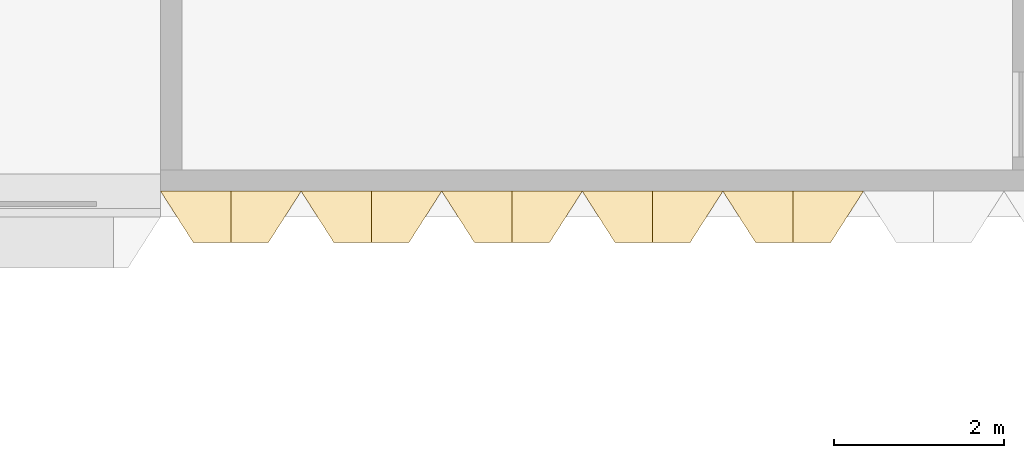
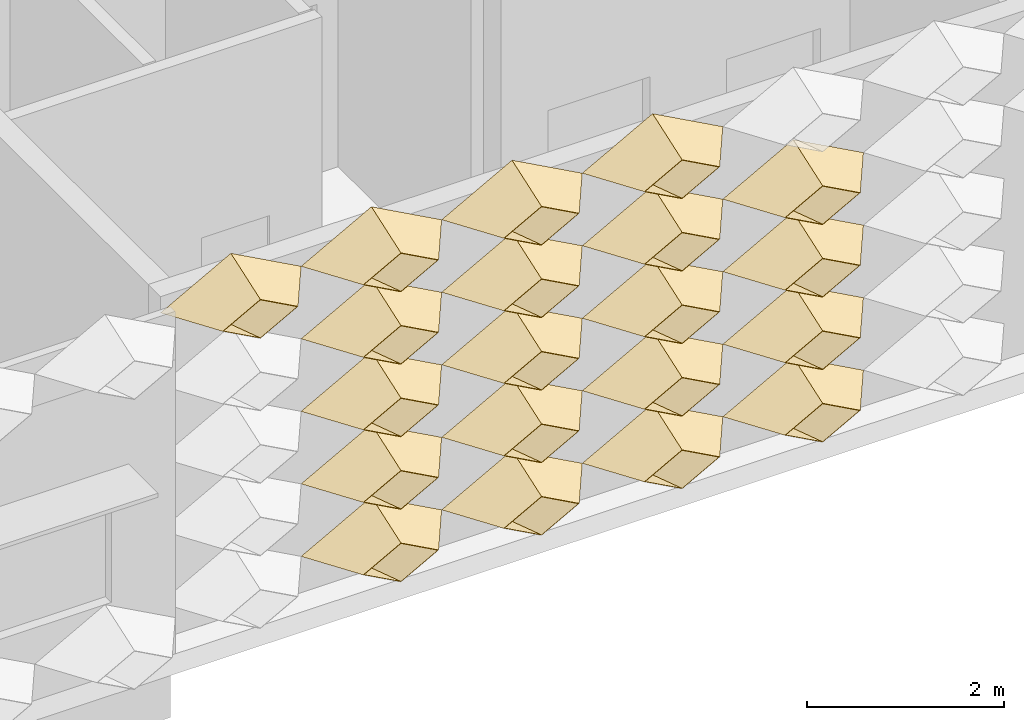
# One storey, part 87 of 109: 20 coverings.
"""IFC4 building model written with IfcOpenShell, lengths in metres."""

import ifcopenshell
import ifcopenshell.guid

model = None  # the IFC model being written
_history = None  # IfcOwnerHistory: only IFC2X3 demands one
_inside = {}  # id of a spatial element -> (the spatial element, [elements in it])
_under = {}  # id of a project, library or spatial element -> (it, [spatial elements below it])
_declared = {}  # id of a project -> (the project, [libraries it declares])
_typed = {}  # id of a type object -> (the type object, [elements of that type])
_made_of = {}  # id of a material, layer set ... -> (it, [elements and type objects made of it])


def new_model(schema):
    """Start an empty IFC model of exactly this schema.

    Asked for "IFC4X3", IfcOpenShell would pick the latest addendum, in which some entities
    have other attributes; the version numbers below select the first issue.
    IFC2X3 requires an IfcOwnerHistory on every rooted entity: one is made here for all.
    """
    global model, _history
    if schema == "IFC4X3":
        model = ifcopenshell.file(schema_version=(4, 3, 0, 0))
    else:
        model = ifcopenshell.file(schema=schema)
    _inside.clear()
    _under.clear()
    _declared.clear()
    _typed.clear()
    _made_of.clear()
    _history = None
    if model.schema == "IFC2X3":
        org = make("IfcOrganization", Name="unknown")
        user = make(
            "IfcPersonAndOrganization",
            ThePerson=make("IfcPerson", FamilyName="unknown"),
            TheOrganization=org,
        )
        app = make(
            "IfcApplication",
            ApplicationDeveloper=org,
            Version="unknown",
            ApplicationFullName="unknown",
            ApplicationIdentifier="unknown",
        )
        _history = make(
            "IfcOwnerHistory",
            OwningUser=user,
            OwningApplication=app,
            ChangeAction="ADDED",
            CreationDate=0,
        )
    return model


def make(cls, **values):
    """One entity of the class cls with the attributes given. An attribute that is None is left unset."""
    return model.create_entity(
        cls, **{name: value for name, value in values.items() if value is not None}
    )


def entity(cls, *values):
    """Any entity or typed value of the class cls, its attributes in the order of the schema. None: left unset."""
    e = model.create_entity(cls)
    for i, value in enumerate(values):
        if value is not None:
            e[i] = value
    return e


def rooted(cls, **values):
    """An entity with a GlobalId (a new one), such as an element, a storey or a relation."""
    return make(cls, GlobalId=ifcopenshell.guid.new(), OwnerHistory=_history, **values)


def si_unit(unit_type, name, prefix=None):
    """IfcSIUnit, for example si_unit("LENGTHUNIT", "METRE", prefix="MILLI")."""
    return make("IfcSIUnit", UnitType=unit_type, Prefix=prefix, Name=name)


def assignment(units):
    """IfcUnitAssignment: the units of a project."""
    return None if units is None else make("IfcUnitAssignment", Units=units)


def point(xyz):
    """IfcCartesianPoint."""
    return None if xyz is None else make("IfcCartesianPoint", Coordinates=xyz)


def direction(xyz):
    """IfcDirection."""
    return None if xyz is None else make("IfcDirection", DirectionRatios=xyz)


def frame(location, z_axis=None, x_axis=None):
    """IfcAxis2Placement3D, a coordinate frame: its origin and axes. An axis left out is left unset."""
    return make(
        "IfcAxis2Placement3D",
        Location=point(location),
        Axis=direction(z_axis),
        RefDirection=direction(x_axis),
    )


def origin():
    """The frame at (0, 0, 0) with its axes left unset."""
    return frame((0.0, 0.0, 0.0))


def place(relative_to, where):
    """IfcLocalPlacement: puts the frame where relative to a parent placement (None: the world)."""
    return make(
        "IfcLocalPlacement", PlacementRelTo=relative_to, RelativePlacement=where
    )


def context(
    kind, dimensions, precision=None, world=None, true_north=None, identifier=None
):
    """IfcGeometricRepresentationContext, for example the 3D "Model" context."""
    return make(
        "IfcGeometricRepresentationContext",
        ContextIdentifier=identifier,
        ContextType=kind,
        CoordinateSpaceDimension=dimensions,
        Precision=precision,
        WorldCoordinateSystem=world,
        TrueNorth=true_north,
    )


def subcontext(parent, identifier, kind, view, scale=None):
    """IfcGeometricRepresentationSubContext, for example "Body" below "Model"."""
    return make(
        "IfcGeometricRepresentationSubContext",
        ContextIdentifier=identifier,
        ContextType=kind,
        ParentContext=parent,
        TargetScale=scale,
        TargetView=view,
    )


def project(units=None, contexts=None):
    """IfcProject with its units and contexts."""
    return rooted(
        "IfcProject",
        Name="project",
        RepresentationContexts=contexts,
        UnitsInContext=assignment(units),
    )


def spatial(cls, under=None, at=None, **own):
    """A site, building, storey or space (cls), placed at a placement, below another one or the project."""
    s = rooted(cls, ObjectPlacement=at, **own)
    if under is not None:
        _under.setdefault(under.id(), (under, []))[1].append(s)
    return s


def shape(context_of_items, identifier, shape_type, items):
    """IfcShapeRepresentation: the items that make up one representation, for example the "Body"."""
    return make(
        "IfcShapeRepresentation",
        ContextOfItems=context_of_items,
        RepresentationIdentifier=identifier,
        RepresentationType=shape_type,
        Items=items,
    )


def material(Name=None, Category=None):
    """IfcMaterial."""
    return make("IfcMaterial", Name=Name, Category=Category)


def layer(
    of_material, thickness, ventilated=None, Name=None, Category=None, Priority=None
):
    """IfcMaterialLayer: one layer of a wall or slab, of a material (None: an air gap)."""
    return make(
        "IfcMaterialLayer",
        Material=of_material,
        LayerThickness=thickness,
        IsVentilated=ventilated,
        Name=Name,
        Category=Category,
        Priority=Priority,
    )


def layer_set(layers, Name=None):
    """IfcMaterialLayerSet."""
    return make("IfcMaterialLayerSet", MaterialLayers=layers, LayerSetName=Name)


def made_of(thing, what):
    """Note that an element or type object is made of a material, layer set ...; save() writes the relation."""
    if what is not None:
        _made_of.setdefault(what.id(), (what, []))[1].append(thing)
    return thing


def type_object(cls, material=None, **own):
    """A type object (cls), such as IfcWallType, which elements share."""
    return made_of(rooted(cls, **own), material)


def element(
    cls,
    number,
    at=None,
    inside=None,
    cuts=None,
    type_object=None,
    material=None,
    context=None,
    identifier="Body",
    shape_type=None,
    held_by="IfcProductDefinitionShape",
    body=None,
    shapes=None,
    **own,
):
    """One element of the class cls, such as IfcWall. Its Tag is "e" and its number.

    at: its placement. inside: the storey or other place that contains it. cuts: it is an
    opening in that element (IfcRelVoidsElement). A single representation is given by context,
    identifier, shape_type and body (its items); several are given by shapes. held_by: the class
    of the entity that holds the representations. save() writes the other relations.
    """
    e = rooted(cls, Tag="e%d" % number, ObjectPlacement=at, **own)
    if body is not None:
        shapes = [shape(context, identifier, shape_type, body)]
    if shapes is not None:
        e.Representation = make(held_by, Representations=shapes)
    if inside is not None:
        _inside.setdefault(inside.id(), (inside, []))[1].append(e)
    if cuts is not None:
        rooted(
            "IfcRelVoidsElement", RelatingBuildingElement=cuts, RelatedOpeningElement=e
        )
    if type_object is not None:
        _typed.setdefault(type_object.id(), (type_object, []))[1].append(e)
    return made_of(e, material)


def aggregate(whole, parts):
    """IfcRelAggregates: a whole, such as a stair, and the parts it consists of."""
    return rooted("IfcRelAggregates", RelatingObject=whole, RelatedObjects=parts)


def save(model, path):
    """Write the relations noted so far, then the file.

    IfcRelAggregates (storeys below a building ...), IfcRelContainedInSpatialStructure (elements
    in a storey), IfcRelDefinesByType, IfcRelAssociatesMaterial and IfcRelDeclares: one each for
    every whole, place, type object, material and project.
    """
    for whole, parts in _under.values():
        aggregate(whole, parts)
    for where, things in _inside.values():
        rooted(
            "IfcRelContainedInSpatialStructure",
            RelatedElements=things,
            RelatingStructure=where,
        )
    for kind, things in _typed.values():
        rooted("IfcRelDefinesByType", RelatedObjects=things, RelatingType=kind)
    for what, things in _made_of.values():
        rooted("IfcRelAssociatesMaterial", RelatedObjects=things, RelatingMaterial=what)
    for by, libraries in _declared.values():
        rooted("IfcRelDeclares", RelatingContext=by, RelatedDefinitions=libraries)
    model.write(path)


model = new_model("IFC4")

# Units and contexts
model_context = context("Model", 3, precision=1e-05, world=origin(), true_north=direction((0.0, 1.0)))
body_context = subcontext(model_context, "Body", "Model", "MODEL_VIEW")
ifc_project = project(units=[si_unit("LENGTHUNIT", "METRE"), si_unit("AREAUNIT", "SQUARE_METRE"), si_unit("VOLUMEUNIT", "CUBIC_METRE"), si_unit("PLANEANGLEUNIT", "RADIAN"), si_unit("MASSUNIT", "GRAM", prefix="KILO")], contexts=[model_context])

# Site, building, storey
site_placement = place(None, origin())
site = spatial("IfcSite", under=ifc_project, at=site_placement, CompositionType="ELEMENT")
building_placement = place(site_placement, origin())
building = spatial("IfcBuilding", under=site, at=building_placement, Name="Lantern Court Research Institute", CompositionType="ELEMENT")
storey_placement = place(building_placement, frame((0.0, 0.0, 14.39990234375)))
storey = spatial("IfcBuildingStorey", under=building, at=storey_placement, Name="L03", CompositionType="ELEMENT", Elevation=14.39990234375)

# Coverings
ifc_material = material(Name="Anodised aluminium", Category="aluminium")
ifc_layer = layer(ifc_material, 0.01611328125)
ifc_layer_set = layer_set([ifc_layer], Name="Anodised aluminium")
covering_type = type_object("IfcCoveringType", Name="Fin cassette 1650 x 900 x 600 aluminium", PredefinedType="CLADDING", material=ifc_layer_set)
covering_1_placement = place(storey_placement, frame((42.074951171875, 82.5, 0.4501953125), z_axis=(0.0, -1.0, 0.0), x_axis=(1.0, 0.0, 0.0)))
cartesian_point_1 = entity("IfcCartesianPoint", [0.824951171875, 0.0])
cartesian_point_2 = entity("IfcCartesianPoint", [0.79150390625, 0.0])
cartesian_point_3 = entity("IfcCartesianPoint", [0.44189453125, 0.0])
cartesian_point_4 = entity("IfcCartesianPoint", [0.43359375, 0.0])
element("IfcCovering", 1, at=covering_1_placement, inside=storey, type_object=covering_type, Name="Fin cassette V6S-L03 1.26", PredefinedType="CLADDING", context=body_context, shape_type="SweptSolid", body=[
    entity("IfcExtrudedAreaSolidTapered", entity("IfcArbitraryProfileDefWithVoids", "AREA", None, entity("IfcPolyline", [cartesian_point_1, entity("IfcCartesianPoint", [0.0, 0.449951171875]), entity("IfcCartesianPoint", [-0.824951171875, 0.0]), entity("IfcCartesianPoint", [0.0, -0.449951171875]), cartesian_point_1]), [entity("IfcPolyline", [cartesian_point_2, entity("IfcCartesianPoint", [0.0, 0.431884765625]), entity("IfcCartesianPoint", [-0.79150390625, 0.0]), entity("IfcCartesianPoint", [0.0, -0.431884765625]), cartesian_point_2])]), entity("IfcAxis2Placement3D", entity("IfcCartesianPoint", [0.0, 0.0, 0.0])), entity("IfcDirection", [0.0, 0.0, 1.0]), 0.60009765625, entity("IfcArbitraryProfileDefWithVoids", "AREA", None, entity("IfcPolyline", [cartesian_point_3, entity("IfcCartesianPoint", [0.0, 0.240966796875]), entity("IfcCartesianPoint", [-0.44189453125, 0.0]), entity("IfcCartesianPoint", [0.0, -0.240966796875]), cartesian_point_3]), [entity("IfcPolyline", [cartesian_point_4, entity("IfcCartesianPoint", [0.0, 0.236572265625]), entity("IfcCartesianPoint", [-0.43359375, 0.0]), entity("IfcCartesianPoint", [0.0, -0.236572265625]), cartesian_point_4])])),
])
covering_2_placement = place(storey_placement, frame((43.72509765625, 82.5, 0.4501953125), z_axis=(0.0, -1.0, 0.0), x_axis=(1.0, 0.0, 0.0)))
cartesian_point_5 = entity("IfcCartesianPoint", [0.824951171875, 0.0])
cartesian_point_6 = entity("IfcCartesianPoint", [0.79150390625, 0.0])
cartesian_point_7 = entity("IfcCartesianPoint", [0.44189453125, 0.0])
cartesian_point_8 = entity("IfcCartesianPoint", [0.43359375, 0.0])
element("IfcCovering", 2, at=covering_2_placement, inside=storey, type_object=covering_type, Name="Fin cassette V6S-L03 1.27", PredefinedType="CLADDING", context=body_context, shape_type="SweptSolid", body=[
    entity("IfcExtrudedAreaSolidTapered", entity("IfcArbitraryProfileDefWithVoids", "AREA", None, entity("IfcPolyline", [cartesian_point_5, entity("IfcCartesianPoint", [0.0, 0.449951171875]), entity("IfcCartesianPoint", [-0.824951171875, 0.0]), entity("IfcCartesianPoint", [0.0, -0.449951171875]), cartesian_point_5]), [entity("IfcPolyline", [cartesian_point_6, entity("IfcCartesianPoint", [0.0, 0.431884765625]), entity("IfcCartesianPoint", [-0.79150390625, 0.0]), entity("IfcCartesianPoint", [0.0, -0.431884765625]), cartesian_point_6])]), entity("IfcAxis2Placement3D", entity("IfcCartesianPoint", [0.0, 0.0, 0.0])), entity("IfcDirection", [0.0, 0.0, 1.0]), 0.60009765625, entity("IfcArbitraryProfileDefWithVoids", "AREA", None, entity("IfcPolyline", [cartesian_point_7, entity("IfcCartesianPoint", [0.0, 0.240966796875]), entity("IfcCartesianPoint", [-0.44189453125, 0.0]), entity("IfcCartesianPoint", [0.0, -0.240966796875]), cartesian_point_7]), [entity("IfcPolyline", [cartesian_point_8, entity("IfcCartesianPoint", [0.0, 0.236572265625]), entity("IfcCartesianPoint", [-0.43359375, 0.0]), entity("IfcCartesianPoint", [0.0, -0.236572265625]), cartesian_point_8])])),
])
covering_3_placement = place(storey_placement, frame((45.375, 82.5, 0.4501953125), z_axis=(0.0, -1.0, 0.0), x_axis=(1.0, 0.0, 0.0)))
cartesian_point_9 = entity("IfcCartesianPoint", [0.824951171875, 0.0])
cartesian_point_10 = entity("IfcCartesianPoint", [0.79150390625, 0.0])
cartesian_point_11 = entity("IfcCartesianPoint", [0.44189453125, 0.0])
cartesian_point_12 = entity("IfcCartesianPoint", [0.43359375, 0.0])
element("IfcCovering", 3, at=covering_3_placement, inside=storey, type_object=covering_type, Name="Fin cassette V6S-L03 1.28", PredefinedType="CLADDING", context=body_context, shape_type="SweptSolid", body=[
    entity("IfcExtrudedAreaSolidTapered", entity("IfcArbitraryProfileDefWithVoids", "AREA", None, entity("IfcPolyline", [cartesian_point_9, entity("IfcCartesianPoint", [0.0, 0.449951171875]), entity("IfcCartesianPoint", [-0.824951171875, 0.0]), entity("IfcCartesianPoint", [0.0, -0.449951171875]), cartesian_point_9]), [entity("IfcPolyline", [cartesian_point_10, entity("IfcCartesianPoint", [0.0, 0.431884765625]), entity("IfcCartesianPoint", [-0.79150390625, 0.0]), entity("IfcCartesianPoint", [0.0, -0.431884765625]), cartesian_point_10])]), entity("IfcAxis2Placement3D", entity("IfcCartesianPoint", [0.0, 0.0, 0.0])), entity("IfcDirection", [0.0, 0.0, 1.0]), 0.60009765625, entity("IfcArbitraryProfileDefWithVoids", "AREA", None, entity("IfcPolyline", [cartesian_point_11, entity("IfcCartesianPoint", [0.0, 0.240966796875]), entity("IfcCartesianPoint", [-0.44189453125, 0.0]), entity("IfcCartesianPoint", [0.0, -0.240966796875]), cartesian_point_11]), [entity("IfcPolyline", [cartesian_point_12, entity("IfcCartesianPoint", [0.0, 0.236572265625]), entity("IfcCartesianPoint", [-0.43359375, 0.0]), entity("IfcCartesianPoint", [0.0, -0.236572265625]), cartesian_point_12])])),
])
covering_4_placement = place(storey_placement, frame((47.02490234375, 82.5, 0.4501953125), z_axis=(0.0, -1.0, 0.0), x_axis=(1.0, 0.0, 0.0)))
cartesian_point_13 = entity("IfcCartesianPoint", [0.824951171875, 0.0])
cartesian_point_14 = entity("IfcCartesianPoint", [0.79150390625, 0.0])
cartesian_point_15 = entity("IfcCartesianPoint", [0.44189453125, 0.0])
cartesian_point_16 = entity("IfcCartesianPoint", [0.43359375, 0.0])
element("IfcCovering", 4, at=covering_4_placement, inside=storey, type_object=covering_type, Name="Fin cassette V6S-L03 1.29", PredefinedType="CLADDING", context=body_context, shape_type="SweptSolid", body=[
    entity("IfcExtrudedAreaSolidTapered", entity("IfcArbitraryProfileDefWithVoids", "AREA", None, entity("IfcPolyline", [cartesian_point_13, entity("IfcCartesianPoint", [0.0, 0.449951171875]), entity("IfcCartesianPoint", [-0.824951171875, 0.0]), entity("IfcCartesianPoint", [0.0, -0.449951171875]), cartesian_point_13]), [entity("IfcPolyline", [cartesian_point_14, entity("IfcCartesianPoint", [0.0, 0.431884765625]), entity("IfcCartesianPoint", [-0.79150390625, 0.0]), entity("IfcCartesianPoint", [0.0, -0.431884765625]), cartesian_point_14])]), entity("IfcAxis2Placement3D", entity("IfcCartesianPoint", [0.0, 0.0, 0.0])), entity("IfcDirection", [0.0, 0.0, 1.0]), 0.60009765625, entity("IfcArbitraryProfileDefWithVoids", "AREA", None, entity("IfcPolyline", [cartesian_point_15, entity("IfcCartesianPoint", [0.0, 0.240966796875]), entity("IfcCartesianPoint", [-0.44189453125, 0.0]), entity("IfcCartesianPoint", [0.0, -0.240966796875]), cartesian_point_15]), [entity("IfcPolyline", [cartesian_point_16, entity("IfcCartesianPoint", [0.0, 0.236572265625]), entity("IfcCartesianPoint", [-0.43359375, 0.0]), entity("IfcCartesianPoint", [0.0, -0.236572265625]), cartesian_point_16])])),
])
covering_5_placement = place(storey_placement, frame((42.074951171875, 82.5, 1.35009765625), z_axis=(0.0, -1.0, 0.0), x_axis=(1.0, 0.0, 0.0)))
cartesian_point_17 = entity("IfcCartesianPoint", [0.824951171875, 0.0])
cartesian_point_18 = entity("IfcCartesianPoint", [0.79150390625, 0.0])
cartesian_point_19 = entity("IfcCartesianPoint", [0.44189453125, 0.0])
cartesian_point_20 = entity("IfcCartesianPoint", [0.43359375, 0.0])
element("IfcCovering", 5, at=covering_5_placement, inside=storey, type_object=covering_type, Name="Fin cassette V6S-L03 2.26", PredefinedType="CLADDING", context=body_context, shape_type="SweptSolid", body=[
    entity("IfcExtrudedAreaSolidTapered", entity("IfcArbitraryProfileDefWithVoids", "AREA", None, entity("IfcPolyline", [cartesian_point_17, entity("IfcCartesianPoint", [0.0, 0.449951171875]), entity("IfcCartesianPoint", [-0.824951171875, 0.0]), entity("IfcCartesianPoint", [0.0, -0.449951171875]), cartesian_point_17]), [entity("IfcPolyline", [cartesian_point_18, entity("IfcCartesianPoint", [0.0, 0.431884765625]), entity("IfcCartesianPoint", [-0.79150390625, 0.0]), entity("IfcCartesianPoint", [0.0, -0.431884765625]), cartesian_point_18])]), entity("IfcAxis2Placement3D", entity("IfcCartesianPoint", [0.0, 0.0, 0.0])), entity("IfcDirection", [0.0, 0.0, 1.0]), 0.60009765625, entity("IfcArbitraryProfileDefWithVoids", "AREA", None, entity("IfcPolyline", [cartesian_point_19, entity("IfcCartesianPoint", [0.0, 0.240966796875]), entity("IfcCartesianPoint", [-0.44189453125, 0.0]), entity("IfcCartesianPoint", [0.0, -0.240966796875]), cartesian_point_19]), [entity("IfcPolyline", [cartesian_point_20, entity("IfcCartesianPoint", [0.0, 0.236572265625]), entity("IfcCartesianPoint", [-0.43359375, 0.0]), entity("IfcCartesianPoint", [0.0, -0.236572265625]), cartesian_point_20])])),
])
covering_6_placement = place(storey_placement, frame((43.72509765625, 82.5, 1.35009765625), z_axis=(0.0, -1.0, 0.0), x_axis=(1.0, 0.0, 0.0)))
cartesian_point_21 = entity("IfcCartesianPoint", [0.824951171875, 0.0])
cartesian_point_22 = entity("IfcCartesianPoint", [0.79150390625, 0.0])
cartesian_point_23 = entity("IfcCartesianPoint", [0.44189453125, 0.0])
cartesian_point_24 = entity("IfcCartesianPoint", [0.43359375, 0.0])
element("IfcCovering", 6, at=covering_6_placement, inside=storey, type_object=covering_type, Name="Fin cassette V6S-L03 2.27", PredefinedType="CLADDING", context=body_context, shape_type="SweptSolid", body=[
    entity("IfcExtrudedAreaSolidTapered", entity("IfcArbitraryProfileDefWithVoids", "AREA", None, entity("IfcPolyline", [cartesian_point_21, entity("IfcCartesianPoint", [0.0, 0.449951171875]), entity("IfcCartesianPoint", [-0.824951171875, 0.0]), entity("IfcCartesianPoint", [0.0, -0.449951171875]), cartesian_point_21]), [entity("IfcPolyline", [cartesian_point_22, entity("IfcCartesianPoint", [0.0, 0.431884765625]), entity("IfcCartesianPoint", [-0.79150390625, 0.0]), entity("IfcCartesianPoint", [0.0, -0.431884765625]), cartesian_point_22])]), entity("IfcAxis2Placement3D", entity("IfcCartesianPoint", [0.0, 0.0, 0.0])), entity("IfcDirection", [0.0, 0.0, 1.0]), 0.60009765625, entity("IfcArbitraryProfileDefWithVoids", "AREA", None, entity("IfcPolyline", [cartesian_point_23, entity("IfcCartesianPoint", [0.0, 0.240966796875]), entity("IfcCartesianPoint", [-0.44189453125, 0.0]), entity("IfcCartesianPoint", [0.0, -0.240966796875]), cartesian_point_23]), [entity("IfcPolyline", [cartesian_point_24, entity("IfcCartesianPoint", [0.0, 0.236572265625]), entity("IfcCartesianPoint", [-0.43359375, 0.0]), entity("IfcCartesianPoint", [0.0, -0.236572265625]), cartesian_point_24])])),
])
covering_7_placement = place(storey_placement, frame((45.375, 82.5, 1.35009765625), z_axis=(0.0, -1.0, 0.0), x_axis=(1.0, 0.0, 0.0)))
cartesian_point_25 = entity("IfcCartesianPoint", [0.824951171875, 0.0])
cartesian_point_26 = entity("IfcCartesianPoint", [0.79150390625, 0.0])
cartesian_point_27 = entity("IfcCartesianPoint", [0.44189453125, 0.0])
cartesian_point_28 = entity("IfcCartesianPoint", [0.43359375, 0.0])
element("IfcCovering", 7, at=covering_7_placement, inside=storey, type_object=covering_type, Name="Fin cassette V6S-L03 2.28", PredefinedType="CLADDING", context=body_context, shape_type="SweptSolid", body=[
    entity("IfcExtrudedAreaSolidTapered", entity("IfcArbitraryProfileDefWithVoids", "AREA", None, entity("IfcPolyline", [cartesian_point_25, entity("IfcCartesianPoint", [0.0, 0.449951171875]), entity("IfcCartesianPoint", [-0.824951171875, 0.0]), entity("IfcCartesianPoint", [0.0, -0.449951171875]), cartesian_point_25]), [entity("IfcPolyline", [cartesian_point_26, entity("IfcCartesianPoint", [0.0, 0.431884765625]), entity("IfcCartesianPoint", [-0.79150390625, 0.0]), entity("IfcCartesianPoint", [0.0, -0.431884765625]), cartesian_point_26])]), entity("IfcAxis2Placement3D", entity("IfcCartesianPoint", [0.0, 0.0, 0.0])), entity("IfcDirection", [0.0, 0.0, 1.0]), 0.60009765625, entity("IfcArbitraryProfileDefWithVoids", "AREA", None, entity("IfcPolyline", [cartesian_point_27, entity("IfcCartesianPoint", [0.0, 0.240966796875]), entity("IfcCartesianPoint", [-0.44189453125, 0.0]), entity("IfcCartesianPoint", [0.0, -0.240966796875]), cartesian_point_27]), [entity("IfcPolyline", [cartesian_point_28, entity("IfcCartesianPoint", [0.0, 0.236572265625]), entity("IfcCartesianPoint", [-0.43359375, 0.0]), entity("IfcCartesianPoint", [0.0, -0.236572265625]), cartesian_point_28])])),
])
covering_8_placement = place(storey_placement, frame((47.02490234375, 82.5, 1.35009765625), z_axis=(0.0, -1.0, 0.0), x_axis=(1.0, 0.0, 0.0)))
cartesian_point_29 = entity("IfcCartesianPoint", [0.824951171875, 0.0])
cartesian_point_30 = entity("IfcCartesianPoint", [0.79150390625, 0.0])
cartesian_point_31 = entity("IfcCartesianPoint", [0.44189453125, 0.0])
cartesian_point_32 = entity("IfcCartesianPoint", [0.43359375, 0.0])
element("IfcCovering", 8, at=covering_8_placement, inside=storey, type_object=covering_type, Name="Fin cassette V6S-L03 2.29", PredefinedType="CLADDING", context=body_context, shape_type="SweptSolid", body=[
    entity("IfcExtrudedAreaSolidTapered", entity("IfcArbitraryProfileDefWithVoids", "AREA", None, entity("IfcPolyline", [cartesian_point_29, entity("IfcCartesianPoint", [0.0, 0.449951171875]), entity("IfcCartesianPoint", [-0.824951171875, 0.0]), entity("IfcCartesianPoint", [0.0, -0.449951171875]), cartesian_point_29]), [entity("IfcPolyline", [cartesian_point_30, entity("IfcCartesianPoint", [0.0, 0.431884765625]), entity("IfcCartesianPoint", [-0.79150390625, 0.0]), entity("IfcCartesianPoint", [0.0, -0.431884765625]), cartesian_point_30])]), entity("IfcAxis2Placement3D", entity("IfcCartesianPoint", [0.0, 0.0, 0.0])), entity("IfcDirection", [0.0, 0.0, 1.0]), 0.60009765625, entity("IfcArbitraryProfileDefWithVoids", "AREA", None, entity("IfcPolyline", [cartesian_point_31, entity("IfcCartesianPoint", [0.0, 0.240966796875]), entity("IfcCartesianPoint", [-0.44189453125, 0.0]), entity("IfcCartesianPoint", [0.0, -0.240966796875]), cartesian_point_31]), [entity("IfcPolyline", [cartesian_point_32, entity("IfcCartesianPoint", [0.0, 0.236572265625]), entity("IfcCartesianPoint", [-0.43359375, 0.0]), entity("IfcCartesianPoint", [0.0, -0.236572265625]), cartesian_point_32])])),
])
covering_9_placement = place(storey_placement, frame((42.074951171875, 82.5, 2.25), z_axis=(0.0, -1.0, 0.0), x_axis=(1.0, 0.0, 0.0)))
cartesian_point_33 = entity("IfcCartesianPoint", [0.824951171875, 0.0])
cartesian_point_34 = entity("IfcCartesianPoint", [0.79150390625, 0.0])
cartesian_point_35 = entity("IfcCartesianPoint", [0.44189453125, 0.0])
cartesian_point_36 = entity("IfcCartesianPoint", [0.43359375, 0.0])
element("IfcCovering", 9, at=covering_9_placement, inside=storey, type_object=covering_type, Name="Fin cassette V6S-L03 3.26", PredefinedType="CLADDING", context=body_context, shape_type="SweptSolid", body=[
    entity("IfcExtrudedAreaSolidTapered", entity("IfcArbitraryProfileDefWithVoids", "AREA", None, entity("IfcPolyline", [cartesian_point_33, entity("IfcCartesianPoint", [0.0, 0.449951171875]), entity("IfcCartesianPoint", [-0.824951171875, 0.0]), entity("IfcCartesianPoint", [0.0, -0.449951171875]), cartesian_point_33]), [entity("IfcPolyline", [cartesian_point_34, entity("IfcCartesianPoint", [0.0, 0.431884765625]), entity("IfcCartesianPoint", [-0.79150390625, 0.0]), entity("IfcCartesianPoint", [0.0, -0.431884765625]), cartesian_point_34])]), entity("IfcAxis2Placement3D", entity("IfcCartesianPoint", [0.0, 0.0, 0.0])), entity("IfcDirection", [0.0, 0.0, 1.0]), 0.60009765625, entity("IfcArbitraryProfileDefWithVoids", "AREA", None, entity("IfcPolyline", [cartesian_point_35, entity("IfcCartesianPoint", [0.0, 0.240966796875]), entity("IfcCartesianPoint", [-0.44189453125, 0.0]), entity("IfcCartesianPoint", [0.0, -0.240966796875]), cartesian_point_35]), [entity("IfcPolyline", [cartesian_point_36, entity("IfcCartesianPoint", [0.0, 0.236572265625]), entity("IfcCartesianPoint", [-0.43359375, 0.0]), entity("IfcCartesianPoint", [0.0, -0.236572265625]), cartesian_point_36])])),
])
covering_10_placement = place(storey_placement, frame((43.72509765625, 82.5, 2.25), z_axis=(0.0, -1.0, 0.0), x_axis=(1.0, 0.0, 0.0)))
cartesian_point_37 = entity("IfcCartesianPoint", [0.824951171875, 0.0])
cartesian_point_38 = entity("IfcCartesianPoint", [0.79150390625, 0.0])
cartesian_point_39 = entity("IfcCartesianPoint", [0.44189453125, 0.0])
cartesian_point_40 = entity("IfcCartesianPoint", [0.43359375, 0.0])
element("IfcCovering", 10, at=covering_10_placement, inside=storey, type_object=covering_type, Name="Fin cassette V6S-L03 3.27", PredefinedType="CLADDING", context=body_context, shape_type="SweptSolid", body=[
    entity("IfcExtrudedAreaSolidTapered", entity("IfcArbitraryProfileDefWithVoids", "AREA", None, entity("IfcPolyline", [cartesian_point_37, entity("IfcCartesianPoint", [0.0, 0.449951171875]), entity("IfcCartesianPoint", [-0.824951171875, 0.0]), entity("IfcCartesianPoint", [0.0, -0.449951171875]), cartesian_point_37]), [entity("IfcPolyline", [cartesian_point_38, entity("IfcCartesianPoint", [0.0, 0.431884765625]), entity("IfcCartesianPoint", [-0.79150390625, 0.0]), entity("IfcCartesianPoint", [0.0, -0.431884765625]), cartesian_point_38])]), entity("IfcAxis2Placement3D", entity("IfcCartesianPoint", [0.0, 0.0, 0.0])), entity("IfcDirection", [0.0, 0.0, 1.0]), 0.60009765625, entity("IfcArbitraryProfileDefWithVoids", "AREA", None, entity("IfcPolyline", [cartesian_point_39, entity("IfcCartesianPoint", [0.0, 0.240966796875]), entity("IfcCartesianPoint", [-0.44189453125, 0.0]), entity("IfcCartesianPoint", [0.0, -0.240966796875]), cartesian_point_39]), [entity("IfcPolyline", [cartesian_point_40, entity("IfcCartesianPoint", [0.0, 0.236572265625]), entity("IfcCartesianPoint", [-0.43359375, 0.0]), entity("IfcCartesianPoint", [0.0, -0.236572265625]), cartesian_point_40])])),
])
covering_11_placement = place(storey_placement, frame((45.375, 82.5, 2.25), z_axis=(0.0, -1.0, 0.0), x_axis=(1.0, 0.0, 0.0)))
cartesian_point_41 = entity("IfcCartesianPoint", [0.824951171875, 0.0])
cartesian_point_42 = entity("IfcCartesianPoint", [0.79150390625, 0.0])
cartesian_point_43 = entity("IfcCartesianPoint", [0.44189453125, 0.0])
cartesian_point_44 = entity("IfcCartesianPoint", [0.43359375, 0.0])
element("IfcCovering", 11, at=covering_11_placement, inside=storey, type_object=covering_type, Name="Fin cassette V6S-L03 3.28", PredefinedType="CLADDING", context=body_context, shape_type="SweptSolid", body=[
    entity("IfcExtrudedAreaSolidTapered", entity("IfcArbitraryProfileDefWithVoids", "AREA", None, entity("IfcPolyline", [cartesian_point_41, entity("IfcCartesianPoint", [0.0, 0.449951171875]), entity("IfcCartesianPoint", [-0.824951171875, 0.0]), entity("IfcCartesianPoint", [0.0, -0.449951171875]), cartesian_point_41]), [entity("IfcPolyline", [cartesian_point_42, entity("IfcCartesianPoint", [0.0, 0.431884765625]), entity("IfcCartesianPoint", [-0.79150390625, 0.0]), entity("IfcCartesianPoint", [0.0, -0.431884765625]), cartesian_point_42])]), entity("IfcAxis2Placement3D", entity("IfcCartesianPoint", [0.0, 0.0, 0.0])), entity("IfcDirection", [0.0, 0.0, 1.0]), 0.60009765625, entity("IfcArbitraryProfileDefWithVoids", "AREA", None, entity("IfcPolyline", [cartesian_point_43, entity("IfcCartesianPoint", [0.0, 0.240966796875]), entity("IfcCartesianPoint", [-0.44189453125, 0.0]), entity("IfcCartesianPoint", [0.0, -0.240966796875]), cartesian_point_43]), [entity("IfcPolyline", [cartesian_point_44, entity("IfcCartesianPoint", [0.0, 0.236572265625]), entity("IfcCartesianPoint", [-0.43359375, 0.0]), entity("IfcCartesianPoint", [0.0, -0.236572265625]), cartesian_point_44])])),
])
covering_12_placement = place(storey_placement, frame((47.02490234375, 82.5, 2.25), z_axis=(0.0, -1.0, 0.0), x_axis=(1.0, 0.0, 0.0)))
cartesian_point_45 = entity("IfcCartesianPoint", [0.824951171875, 0.0])
cartesian_point_46 = entity("IfcCartesianPoint", [0.79150390625, 0.0])
cartesian_point_47 = entity("IfcCartesianPoint", [0.44189453125, 0.0])
cartesian_point_48 = entity("IfcCartesianPoint", [0.43359375, 0.0])
element("IfcCovering", 12, at=covering_12_placement, inside=storey, type_object=covering_type, Name="Fin cassette V6S-L03 3.29", PredefinedType="CLADDING", context=body_context, shape_type="SweptSolid", body=[
    entity("IfcExtrudedAreaSolidTapered", entity("IfcArbitraryProfileDefWithVoids", "AREA", None, entity("IfcPolyline", [cartesian_point_45, entity("IfcCartesianPoint", [0.0, 0.449951171875]), entity("IfcCartesianPoint", [-0.824951171875, 0.0]), entity("IfcCartesianPoint", [0.0, -0.449951171875]), cartesian_point_45]), [entity("IfcPolyline", [cartesian_point_46, entity("IfcCartesianPoint", [0.0, 0.431884765625]), entity("IfcCartesianPoint", [-0.79150390625, 0.0]), entity("IfcCartesianPoint", [0.0, -0.431884765625]), cartesian_point_46])]), entity("IfcAxis2Placement3D", entity("IfcCartesianPoint", [0.0, 0.0, 0.0])), entity("IfcDirection", [0.0, 0.0, 1.0]), 0.60009765625, entity("IfcArbitraryProfileDefWithVoids", "AREA", None, entity("IfcPolyline", [cartesian_point_47, entity("IfcCartesianPoint", [0.0, 0.240966796875]), entity("IfcCartesianPoint", [-0.44189453125, 0.0]), entity("IfcCartesianPoint", [0.0, -0.240966796875]), cartesian_point_47]), [entity("IfcPolyline", [cartesian_point_48, entity("IfcCartesianPoint", [0.0, 0.236572265625]), entity("IfcCartesianPoint", [-0.43359375, 0.0]), entity("IfcCartesianPoint", [0.0, -0.236572265625]), cartesian_point_48])])),
])
covering_13_placement = place(storey_placement, frame((42.074951171875, 82.5, 3.150146484375), z_axis=(0.0, -1.0, 0.0), x_axis=(1.0, 0.0, 0.0)))
cartesian_point_49 = entity("IfcCartesianPoint", [0.824951171875, 0.0])
cartesian_point_50 = entity("IfcCartesianPoint", [0.79150390625, 0.0])
cartesian_point_51 = entity("IfcCartesianPoint", [0.44189453125, 0.0])
cartesian_point_52 = entity("IfcCartesianPoint", [0.43359375, 0.0])
element("IfcCovering", 13, at=covering_13_placement, inside=storey, type_object=covering_type, Name="Fin cassette V6S-L03 4.26", PredefinedType="CLADDING", context=body_context, shape_type="SweptSolid", body=[
    entity("IfcExtrudedAreaSolidTapered", entity("IfcArbitraryProfileDefWithVoids", "AREA", None, entity("IfcPolyline", [cartesian_point_49, entity("IfcCartesianPoint", [0.0, 0.449951171875]), entity("IfcCartesianPoint", [-0.824951171875, 0.0]), entity("IfcCartesianPoint", [0.0, -0.449951171875]), cartesian_point_49]), [entity("IfcPolyline", [cartesian_point_50, entity("IfcCartesianPoint", [0.0, 0.431884765625]), entity("IfcCartesianPoint", [-0.79150390625, 0.0]), entity("IfcCartesianPoint", [0.0, -0.431884765625]), cartesian_point_50])]), entity("IfcAxis2Placement3D", entity("IfcCartesianPoint", [0.0, 0.0, 0.0])), entity("IfcDirection", [0.0, 0.0, 1.0]), 0.60009765625, entity("IfcArbitraryProfileDefWithVoids", "AREA", None, entity("IfcPolyline", [cartesian_point_51, entity("IfcCartesianPoint", [0.0, 0.240966796875]), entity("IfcCartesianPoint", [-0.44189453125, 0.0]), entity("IfcCartesianPoint", [0.0, -0.240966796875]), cartesian_point_51]), [entity("IfcPolyline", [cartesian_point_52, entity("IfcCartesianPoint", [0.0, 0.236572265625]), entity("IfcCartesianPoint", [-0.43359375, 0.0]), entity("IfcCartesianPoint", [0.0, -0.236572265625]), cartesian_point_52])])),
])
covering_14_placement = place(storey_placement, frame((43.72509765625, 82.5, 3.150146484375), z_axis=(0.0, -1.0, 0.0), x_axis=(1.0, 0.0, 0.0)))
cartesian_point_53 = entity("IfcCartesianPoint", [0.824951171875, 0.0])
cartesian_point_54 = entity("IfcCartesianPoint", [0.79150390625, 0.0])
cartesian_point_55 = entity("IfcCartesianPoint", [0.44189453125, 0.0])
cartesian_point_56 = entity("IfcCartesianPoint", [0.43359375, 0.0])
element("IfcCovering", 14, at=covering_14_placement, inside=storey, type_object=covering_type, Name="Fin cassette V6S-L03 4.27", PredefinedType="CLADDING", context=body_context, shape_type="SweptSolid", body=[
    entity("IfcExtrudedAreaSolidTapered", entity("IfcArbitraryProfileDefWithVoids", "AREA", None, entity("IfcPolyline", [cartesian_point_53, entity("IfcCartesianPoint", [0.0, 0.449951171875]), entity("IfcCartesianPoint", [-0.824951171875, 0.0]), entity("IfcCartesianPoint", [0.0, -0.449951171875]), cartesian_point_53]), [entity("IfcPolyline", [cartesian_point_54, entity("IfcCartesianPoint", [0.0, 0.431884765625]), entity("IfcCartesianPoint", [-0.79150390625, 0.0]), entity("IfcCartesianPoint", [0.0, -0.431884765625]), cartesian_point_54])]), entity("IfcAxis2Placement3D", entity("IfcCartesianPoint", [0.0, 0.0, 0.0])), entity("IfcDirection", [0.0, 0.0, 1.0]), 0.60009765625, entity("IfcArbitraryProfileDefWithVoids", "AREA", None, entity("IfcPolyline", [cartesian_point_55, entity("IfcCartesianPoint", [0.0, 0.240966796875]), entity("IfcCartesianPoint", [-0.44189453125, 0.0]), entity("IfcCartesianPoint", [0.0, -0.240966796875]), cartesian_point_55]), [entity("IfcPolyline", [cartesian_point_56, entity("IfcCartesianPoint", [0.0, 0.236572265625]), entity("IfcCartesianPoint", [-0.43359375, 0.0]), entity("IfcCartesianPoint", [0.0, -0.236572265625]), cartesian_point_56])])),
])
covering_15_placement = place(storey_placement, frame((45.375, 82.5, 3.150146484375), z_axis=(0.0, -1.0, 0.0), x_axis=(1.0, 0.0, 0.0)))
cartesian_point_57 = entity("IfcCartesianPoint", [0.824951171875, 0.0])
cartesian_point_58 = entity("IfcCartesianPoint", [0.79150390625, 0.0])
cartesian_point_59 = entity("IfcCartesianPoint", [0.44189453125, 0.0])
cartesian_point_60 = entity("IfcCartesianPoint", [0.43359375, 0.0])
element("IfcCovering", 15, at=covering_15_placement, inside=storey, type_object=covering_type, Name="Fin cassette V6S-L03 4.28", PredefinedType="CLADDING", context=body_context, shape_type="SweptSolid", body=[
    entity("IfcExtrudedAreaSolidTapered", entity("IfcArbitraryProfileDefWithVoids", "AREA", None, entity("IfcPolyline", [cartesian_point_57, entity("IfcCartesianPoint", [0.0, 0.449951171875]), entity("IfcCartesianPoint", [-0.824951171875, 0.0]), entity("IfcCartesianPoint", [0.0, -0.449951171875]), cartesian_point_57]), [entity("IfcPolyline", [cartesian_point_58, entity("IfcCartesianPoint", [0.0, 0.431884765625]), entity("IfcCartesianPoint", [-0.79150390625, 0.0]), entity("IfcCartesianPoint", [0.0, -0.431884765625]), cartesian_point_58])]), entity("IfcAxis2Placement3D", entity("IfcCartesianPoint", [0.0, 0.0, 0.0])), entity("IfcDirection", [0.0, 0.0, 1.0]), 0.60009765625, entity("IfcArbitraryProfileDefWithVoids", "AREA", None, entity("IfcPolyline", [cartesian_point_59, entity("IfcCartesianPoint", [0.0, 0.240966796875]), entity("IfcCartesianPoint", [-0.44189453125, 0.0]), entity("IfcCartesianPoint", [0.0, -0.240966796875]), cartesian_point_59]), [entity("IfcPolyline", [cartesian_point_60, entity("IfcCartesianPoint", [0.0, 0.236572265625]), entity("IfcCartesianPoint", [-0.43359375, 0.0]), entity("IfcCartesianPoint", [0.0, -0.236572265625]), cartesian_point_60])])),
])
covering_16_placement = place(storey_placement, frame((47.02490234375, 82.5, 3.150146484375), z_axis=(0.0, -1.0, 0.0), x_axis=(1.0, 0.0, 0.0)))
cartesian_point_61 = entity("IfcCartesianPoint", [0.824951171875, 0.0])
cartesian_point_62 = entity("IfcCartesianPoint", [0.79150390625, 0.0])
cartesian_point_63 = entity("IfcCartesianPoint", [0.44189453125, 0.0])
cartesian_point_64 = entity("IfcCartesianPoint", [0.43359375, 0.0])
element("IfcCovering", 16, at=covering_16_placement, inside=storey, type_object=covering_type, Name="Fin cassette V6S-L03 4.29", PredefinedType="CLADDING", context=body_context, shape_type="SweptSolid", body=[
    entity("IfcExtrudedAreaSolidTapered", entity("IfcArbitraryProfileDefWithVoids", "AREA", None, entity("IfcPolyline", [cartesian_point_61, entity("IfcCartesianPoint", [0.0, 0.449951171875]), entity("IfcCartesianPoint", [-0.824951171875, 0.0]), entity("IfcCartesianPoint", [0.0, -0.449951171875]), cartesian_point_61]), [entity("IfcPolyline", [cartesian_point_62, entity("IfcCartesianPoint", [0.0, 0.431884765625]), entity("IfcCartesianPoint", [-0.79150390625, 0.0]), entity("IfcCartesianPoint", [0.0, -0.431884765625]), cartesian_point_62])]), entity("IfcAxis2Placement3D", entity("IfcCartesianPoint", [0.0, 0.0, 0.0])), entity("IfcDirection", [0.0, 0.0, 1.0]), 0.60009765625, entity("IfcArbitraryProfileDefWithVoids", "AREA", None, entity("IfcPolyline", [cartesian_point_63, entity("IfcCartesianPoint", [0.0, 0.240966796875]), entity("IfcCartesianPoint", [-0.44189453125, 0.0]), entity("IfcCartesianPoint", [0.0, -0.240966796875]), cartesian_point_63]), [entity("IfcPolyline", [cartesian_point_64, entity("IfcCartesianPoint", [0.0, 0.236572265625]), entity("IfcCartesianPoint", [-0.43359375, 0.0]), entity("IfcCartesianPoint", [0.0, -0.236572265625]), cartesian_point_64])])),
])
covering_17_placement = place(storey_placement, frame((40.425048828125, 82.5, 4.050048828125), z_axis=(0.0, -1.0, 0.0), x_axis=(1.0, 0.0, 0.0)))
cartesian_point_65 = entity("IfcCartesianPoint", [0.824951171875, 0.0])
cartesian_point_66 = entity("IfcCartesianPoint", [0.79150390625, 0.0])
cartesian_point_67 = entity("IfcCartesianPoint", [0.44189453125, 0.0])
cartesian_point_68 = entity("IfcCartesianPoint", [0.43359375, 0.0])
element("IfcCovering", 17, at=covering_17_placement, inside=storey, type_object=covering_type, Name="Fin cassette V6S-L03 5.25", PredefinedType="CLADDING", context=body_context, shape_type="SweptSolid", body=[
    entity("IfcExtrudedAreaSolidTapered", entity("IfcArbitraryProfileDefWithVoids", "AREA", None, entity("IfcPolyline", [cartesian_point_65, entity("IfcCartesianPoint", [0.0, 0.449951171875]), entity("IfcCartesianPoint", [-0.824951171875, 0.0]), entity("IfcCartesianPoint", [0.0, -0.449951171875]), cartesian_point_65]), [entity("IfcPolyline", [cartesian_point_66, entity("IfcCartesianPoint", [0.0, 0.431884765625]), entity("IfcCartesianPoint", [-0.79150390625, 0.0]), entity("IfcCartesianPoint", [0.0, -0.431884765625]), cartesian_point_66])]), entity("IfcAxis2Placement3D", entity("IfcCartesianPoint", [0.0, 0.0, 0.0])), entity("IfcDirection", [0.0, 0.0, 1.0]), 0.60009765625, entity("IfcArbitraryProfileDefWithVoids", "AREA", None, entity("IfcPolyline", [cartesian_point_67, entity("IfcCartesianPoint", [0.0, 0.240966796875]), entity("IfcCartesianPoint", [-0.44189453125, 0.0]), entity("IfcCartesianPoint", [0.0, -0.240966796875]), cartesian_point_67]), [entity("IfcPolyline", [cartesian_point_68, entity("IfcCartesianPoint", [0.0, 0.236572265625]), entity("IfcCartesianPoint", [-0.43359375, 0.0]), entity("IfcCartesianPoint", [0.0, -0.236572265625]), cartesian_point_68])])),
])
covering_18_placement = place(storey_placement, frame((42.074951171875, 82.5, 4.050048828125), z_axis=(0.0, -1.0, 0.0), x_axis=(1.0, 0.0, 0.0)))
cartesian_point_69 = entity("IfcCartesianPoint", [0.824951171875, 0.0])
cartesian_point_70 = entity("IfcCartesianPoint", [0.79150390625, 0.0])
cartesian_point_71 = entity("IfcCartesianPoint", [0.44189453125, 0.0])
cartesian_point_72 = entity("IfcCartesianPoint", [0.43359375, 0.0])
element("IfcCovering", 18, at=covering_18_placement, inside=storey, type_object=covering_type, Name="Fin cassette V6S-L03 5.26", PredefinedType="CLADDING", context=body_context, shape_type="SweptSolid", body=[
    entity("IfcExtrudedAreaSolidTapered", entity("IfcArbitraryProfileDefWithVoids", "AREA", None, entity("IfcPolyline", [cartesian_point_69, entity("IfcCartesianPoint", [0.0, 0.449951171875]), entity("IfcCartesianPoint", [-0.824951171875, 0.0]), entity("IfcCartesianPoint", [0.0, -0.449951171875]), cartesian_point_69]), [entity("IfcPolyline", [cartesian_point_70, entity("IfcCartesianPoint", [0.0, 0.431884765625]), entity("IfcCartesianPoint", [-0.79150390625, 0.0]), entity("IfcCartesianPoint", [0.0, -0.431884765625]), cartesian_point_70])]), entity("IfcAxis2Placement3D", entity("IfcCartesianPoint", [0.0, 0.0, 0.0])), entity("IfcDirection", [0.0, 0.0, 1.0]), 0.60009765625, entity("IfcArbitraryProfileDefWithVoids", "AREA", None, entity("IfcPolyline", [cartesian_point_71, entity("IfcCartesianPoint", [0.0, 0.240966796875]), entity("IfcCartesianPoint", [-0.44189453125, 0.0]), entity("IfcCartesianPoint", [0.0, -0.240966796875]), cartesian_point_71]), [entity("IfcPolyline", [cartesian_point_72, entity("IfcCartesianPoint", [0.0, 0.236572265625]), entity("IfcCartesianPoint", [-0.43359375, 0.0]), entity("IfcCartesianPoint", [0.0, -0.236572265625]), cartesian_point_72])])),
])
covering_19_placement = place(storey_placement, frame((43.72509765625, 82.5, 4.050048828125), z_axis=(0.0, -1.0, 0.0), x_axis=(1.0, 0.0, 0.0)))
cartesian_point_73 = entity("IfcCartesianPoint", [0.824951171875, 0.0])
cartesian_point_74 = entity("IfcCartesianPoint", [0.79150390625, 0.0])
cartesian_point_75 = entity("IfcCartesianPoint", [0.44189453125, 0.0])
cartesian_point_76 = entity("IfcCartesianPoint", [0.43359375, 0.0])
element("IfcCovering", 19, at=covering_19_placement, inside=storey, type_object=covering_type, Name="Fin cassette V6S-L03 5.27", PredefinedType="CLADDING", context=body_context, shape_type="SweptSolid", body=[
    entity("IfcExtrudedAreaSolidTapered", entity("IfcArbitraryProfileDefWithVoids", "AREA", None, entity("IfcPolyline", [cartesian_point_73, entity("IfcCartesianPoint", [0.0, 0.449951171875]), entity("IfcCartesianPoint", [-0.824951171875, 0.0]), entity("IfcCartesianPoint", [0.0, -0.449951171875]), cartesian_point_73]), [entity("IfcPolyline", [cartesian_point_74, entity("IfcCartesianPoint", [0.0, 0.431884765625]), entity("IfcCartesianPoint", [-0.79150390625, 0.0]), entity("IfcCartesianPoint", [0.0, -0.431884765625]), cartesian_point_74])]), entity("IfcAxis2Placement3D", entity("IfcCartesianPoint", [0.0, 0.0, 0.0])), entity("IfcDirection", [0.0, 0.0, 1.0]), 0.60009765625, entity("IfcArbitraryProfileDefWithVoids", "AREA", None, entity("IfcPolyline", [cartesian_point_75, entity("IfcCartesianPoint", [0.0, 0.240966796875]), entity("IfcCartesianPoint", [-0.44189453125, 0.0]), entity("IfcCartesianPoint", [0.0, -0.240966796875]), cartesian_point_75]), [entity("IfcPolyline", [cartesian_point_76, entity("IfcCartesianPoint", [0.0, 0.236572265625]), entity("IfcCartesianPoint", [-0.43359375, 0.0]), entity("IfcCartesianPoint", [0.0, -0.236572265625]), cartesian_point_76])])),
])
covering_20_placement = place(storey_placement, frame((45.375, 82.5, 4.050048828125), z_axis=(0.0, -1.0, 0.0), x_axis=(1.0, 0.0, 0.0)))
cartesian_point_77 = entity("IfcCartesianPoint", [0.824951171875, 0.0])
cartesian_point_78 = entity("IfcCartesianPoint", [0.79150390625, 0.0])
cartesian_point_79 = entity("IfcCartesianPoint", [0.44189453125, 0.0])
cartesian_point_80 = entity("IfcCartesianPoint", [0.43359375, 0.0])
element("IfcCovering", 20, at=covering_20_placement, inside=storey, type_object=covering_type, Name="Fin cassette V6S-L03 5.28", PredefinedType="CLADDING", context=body_context, shape_type="SweptSolid", body=[
    entity("IfcExtrudedAreaSolidTapered", entity("IfcArbitraryProfileDefWithVoids", "AREA", None, entity("IfcPolyline", [cartesian_point_77, entity("IfcCartesianPoint", [0.0, 0.449951171875]), entity("IfcCartesianPoint", [-0.824951171875, 0.0]), entity("IfcCartesianPoint", [0.0, -0.449951171875]), cartesian_point_77]), [entity("IfcPolyline", [cartesian_point_78, entity("IfcCartesianPoint", [0.0, 0.431884765625]), entity("IfcCartesianPoint", [-0.79150390625, 0.0]), entity("IfcCartesianPoint", [0.0, -0.431884765625]), cartesian_point_78])]), entity("IfcAxis2Placement3D", entity("IfcCartesianPoint", [0.0, 0.0, 0.0])), entity("IfcDirection", [0.0, 0.0, 1.0]), 0.60009765625, entity("IfcArbitraryProfileDefWithVoids", "AREA", None, entity("IfcPolyline", [cartesian_point_79, entity("IfcCartesianPoint", [0.0, 0.240966796875]), entity("IfcCartesianPoint", [-0.44189453125, 0.0]), entity("IfcCartesianPoint", [0.0, -0.240966796875]), cartesian_point_79]), [entity("IfcPolyline", [cartesian_point_80, entity("IfcCartesianPoint", [0.0, 0.236572265625]), entity("IfcCartesianPoint", [-0.43359375, 0.0]), entity("IfcCartesianPoint", [0.0, -0.236572265625]), cartesian_point_80])])),
])

save(model, "model.ifc")
